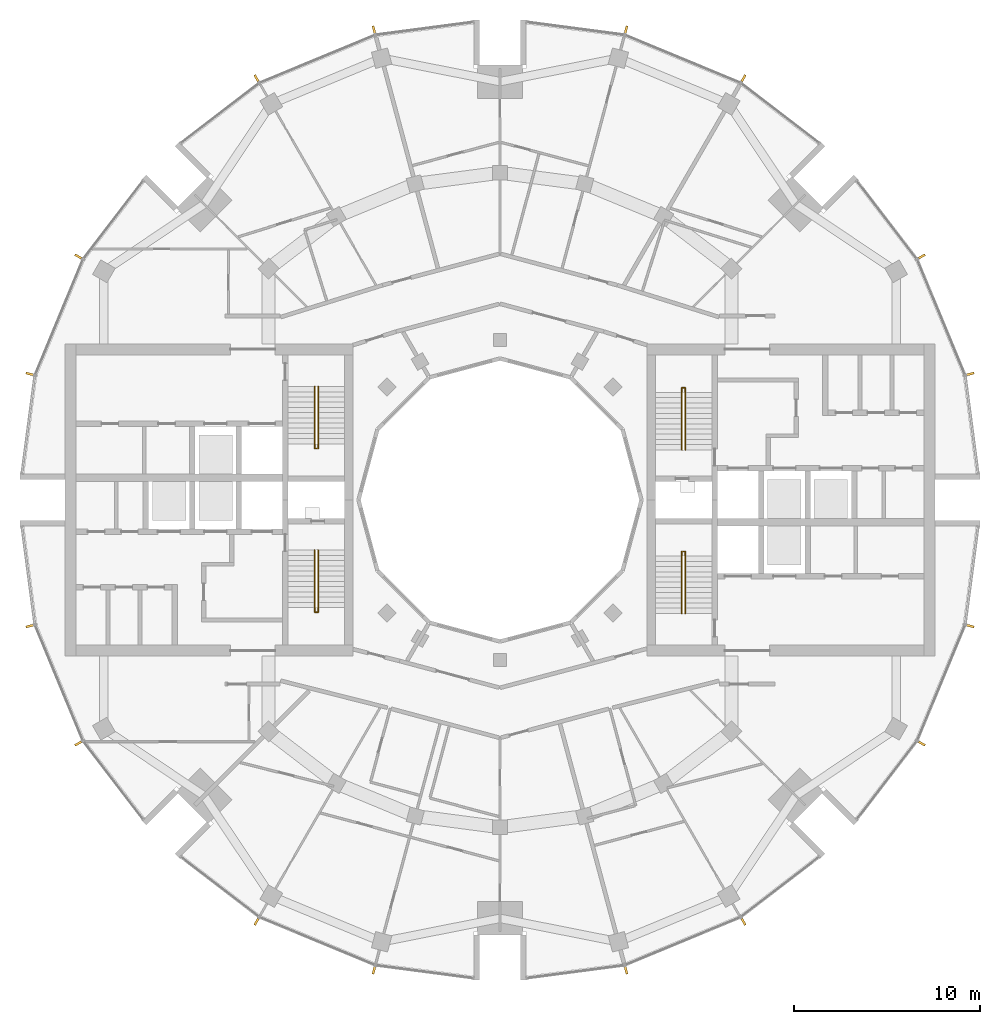
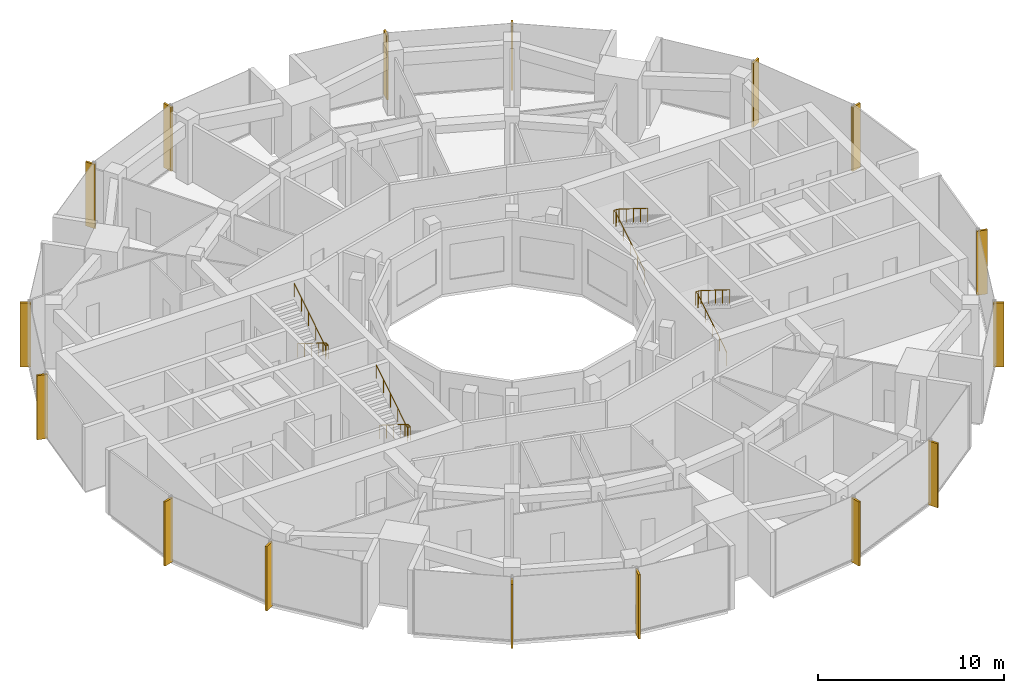
# One storey, part 14 of 15: 16 shading devices, 4 railings.
"""IFC4 building model written with IfcOpenShell, lengths in metres."""

from ifc_helpers import new_model, si_unit, direction, frame, origin, origin_2d, place, context, subcontext, project, spatial, rectangle, circle, extrude, material, material_profile, profile_set, type_object, element, save


model = new_model("IFC4")

# Units and contexts
model_context = context("Model", 3, precision=1e-05, world=origin(), true_north=direction((0.0, 1.0)))
body_context = subcontext(model_context, "Body", "Model", "MODEL_VIEW")
ifc_project = project(units=[si_unit("LENGTHUNIT", "METRE"), si_unit("AREAUNIT", "SQUARE_METRE"), si_unit("VOLUMEUNIT", "CUBIC_METRE"), si_unit("PLANEANGLEUNIT", "RADIAN"), si_unit("MASSUNIT", "GRAM", prefix="KILO")], contexts=[model_context])

# Site, building, storey
site_placement = place(None, origin())
site = spatial("IfcSite", under=ifc_project, at=site_placement, CompositionType="ELEMENT")
building_placement = place(site_placement, origin())
building = spatial("IfcBuilding", under=site, at=building_placement, Name="Torre Brocal", CompositionType="ELEMENT")
storey_placement = place(building_placement, frame((0.0, 0.0, 254.10009765625)))
storey = spatial("IfcBuildingStorey", under=building, at=storey_placement, Name="L58", CompositionType="ELEMENT", Elevation=254.10009765625)

# Shading devices
ifc_material_1 = material(Name="Aluminium, black anodised", Category="aluminium")
ifc_material_profile = material_profile(ifc_material_1, rectangle(XDim=0.1201171875, YDim=0.60009765625, at=origin_2d()), Name="FIN 120X600 4200 HIGH")
ifc_profile_set = profile_set([ifc_material_profile], Name="Aluminium, black anodised")
shading_device_type = type_object("IfcShadingDeviceType", Name="FIN 120X600 4200 HIGH", PredefinedType="USERDEFINED", material=ifc_profile_set)
for number, where, z_axis, x_axis, name in (
    (1, (105.208984375, 81.754638671875, -0.150146484375), (0.0, 0.0, 1.0), (-0.258819045103, 0.965925826289, 0.0), "FIN"),
    (2, (102.601806640625, 88.049072265625, -0.150146484375), (0.0, 0.0, 1.0), (-0.5, 0.866025403784, 0.0), "FIN"),
    (3, (93.049072265625, 97.601806640625, -0.150146484375), (0.0, 0.0, 1.0), (-0.866025403784, 0.5, 0.0), "FIN"),
    (4, (86.754638671875, 100.208984375, -0.150146484375), (0.0, 0.0, 1.0), (-0.965925826289, 0.258819045103, 0.0), "FIN"),
    (5, (73.245361328125, 100.208984375, -0.150146484375), (0.0, 0.0, 1.0), (-0.965925826289, -0.258819045103, 0.0), "FIN"),
    (6, (66.950927734375, 97.601806640625, -0.150146484375), (0.0, 0.0, 1.0), (-0.866025403784, -0.5, 0.0), "FIN"),
    (7, (57.398193359375, 88.049072265625, -0.150146484375), (0.0, 0.0, 1.0), (-0.5, -0.866025403784, 0.0), "FIN"),
    (8, (54.791015625, 81.754638671875, -0.150146484375), (0.0, 0.0, 1.0), (-0.258819045103, -0.965925826289, 0.0), "FIN"),
    (9, (54.791015625, 68.245361328125, -0.150146484375), (0.0, 0.0, 1.0), (0.258819045103, -0.965925826289, 0.0), "FIN"),
    (10, (57.398193359375, 61.950927734375, -0.150146484375), (0.0, 0.0, 1.0), (0.5, -0.866025403784, 0.0), "FIN"),
    (11, (66.950927734375, 52.398193359375, -0.150146484375), (0.0, 0.0, 1.0), (0.866025403784, -0.5, 0.0), "FIN"),
    (12, (73.245361328125, 49.791015625, -0.150146484375), (0.0, 0.0, 1.0), (0.965925826289, -0.258819045103, 0.0), "FIN"),
    (13, (86.754638671875, 49.791015625, -0.150146484375), (0.0, 0.0, 1.0), (0.965925826289, 0.258819045103, 0.0), "FIN"),
    (14, (93.049072265625, 52.398193359375, -0.150146484375), (0.0, 0.0, 1.0), (0.866025403784, 0.5, 0.0), "FIN"),
    (15, (102.601806640625, 61.950927734375, -0.150146484375), (0.0, 0.0, 1.0), (0.5, 0.866025403784, 0.0), "FIN"),
    (16, (105.208984375, 68.245361328125, -0.150146484375), (0.0, 0.0, 1.0), (0.258819045103, 0.965925826289, 0.0), "FIN"),
):
    element("IfcShadingDevice", number, at=place(storey_placement, frame(where, z_axis=z_axis, x_axis=x_axis)), inside=storey, type_object=shading_device_type, Name=name, ObjectType="FIN", PredefinedType="USERDEFINED", context=body_context, shape_type="SweptSolid", body=[
        extrude(rectangle(XDim=0.1201171875, YDim=0.60009765625, at=origin_2d()), origin(), (0.0, 0.0, 1.0), 4.199951171875),
    ])

# Railings
ifc_material_2 = material(Name="Stainless steel AISI 316", Category="steel")
railing_type = type_object("IfcRailingType", Name="STAIR HANDRAIL", PredefinedType="HANDRAIL", material=ifc_material_2)
railing_1_placement = place(storey_placement, frame((89.780029296875, 77.699951171875, 0.1748046875)))
element("IfcRailing", 17, at=railing_1_placement, inside=storey, type_object=railing_type, Name="HANDRAIL ST1", PredefinedType="HANDRAIL", context=body_context, shape_type="SweptSolid", body=[
    extrude(circle(Radius=0.02392578125, at=origin_2d()), frame((0.0, 0.0, 0.8759765625), z_axis=(0.0, 0.847998304005, 0.529998940003), x_axis=(-1.0, 0.0, 0.0)), (0.0, 0.0, 1.0), 3.632080078125),
    extrude(circle(Radius=0.02392578125, at=origin_2d()), frame((0.0, 3.080078125, 2.80078125), z_axis=(0.0, 1.0, 0.0), x_axis=(-1.0, 0.0, 0.0)), (0.0, 0.0, 1.0), 0.25),
    extrude(circle(Radius=0.02392578125, at=origin_2d()), frame((0.0, 3.330078125, 2.80078125), z_axis=(1.0, 0.0, 0.0), x_axis=(0.0, 1.0, 0.0)), (0.0, 0.0, 1.0), 0.18994140625),
    extrude(circle(Radius=0.02392578125, at=origin_2d()), frame((0.18994140625, 3.330078125, 2.80078125), z_axis=(0.0, -0.819156749665, 0.573569716318), x_axis=(1.0, 0.0, 0.0)), (0.0, 0.0, 1.0), 0.30517578125),
    extrude(circle(Radius=0.02392578125, at=origin_2d()), frame((0.18994140625, 3.080078125, 2.97607421875), z_axis=(0.0, -0.847998304005, 0.529998940003), x_axis=(1.0, 0.0, 0.0)), (0.0, 0.0, 1.0), 3.632080078125),
    extrude(circle(Radius=0.02099609375, at=origin_2d()), origin(), (0.0, 0.0, 1.0), 0.851806640625),
    extrude(circle(Radius=0.02099609375, at=origin_2d()), frame((0.0, 0.77001953125, 0.481201171875)), (0.0, 0.0, 1.0), 0.851806640625),
    extrude(circle(Radius=0.02099609375, at=origin_2d()), frame((0.0, 1.5400390625, 0.96240234375)), (0.0, 0.0, 1.0), 0.851806640625),
    extrude(circle(Radius=0.02099609375, at=origin_2d()), frame((0.0, 2.31005859375, 1.44384765625)), (0.0, 0.0, 1.0), 0.851806640625),
    extrude(circle(Radius=0.02099609375, at=origin_2d()), frame((0.0, 3.080078125, 1.925048828125)), (0.0, 0.0, 1.0), 0.851806640625),
    extrude(circle(Radius=0.02099609375, at=origin_2d()), frame((0.0, 3.330078125, 1.925048828125)), (0.0, 0.0, 1.0), 0.851806640625),
    extrude(circle(Radius=0.02099609375, at=origin_2d()), frame((0.18994140625, 3.330078125, 1.925048828125)), (0.0, 0.0, 1.0), 0.851806640625),
    extrude(circle(Radius=0.02099609375, at=origin_2d()), frame((0.18994140625, 3.080078125, 2.10009765625)), (0.0, 0.0, 1.0), 0.851806640625),
    extrude(circle(Radius=0.02099609375, at=origin_2d()), frame((0.18994140625, 2.31005859375, 2.581298828125)), (0.0, 0.0, 1.0), 0.851806640625),
    extrude(circle(Radius=0.02099609375, at=origin_2d()), frame((0.18994140625, 1.5400390625, 3.0625)), (0.0, 0.0, 1.0), 0.851806640625),
    extrude(circle(Radius=0.02099609375, at=origin_2d()), frame((0.18994140625, 0.77001953125, 3.5439453125)), (0.0, 0.0, 1.0), 0.851806640625),
    extrude(circle(Radius=0.02099609375, at=origin_2d()), frame((0.18994140625, 0.0, 4.025146484375)), (0.0, 0.0, 1.0), 0.851806640625),
])
railing_2_placement = place(storey_placement, frame((89.780029296875, 68.89990234375, 0.1748046875)))
element("IfcRailing", 18, at=railing_2_placement, inside=storey, type_object=railing_type, Name="HANDRAIL ST2", PredefinedType="HANDRAIL", context=body_context, shape_type="SweptSolid", body=[
    extrude(circle(Radius=0.02392578125, at=origin_2d()), frame((0.0, 0.0, 0.8759765625), z_axis=(0.0, 0.847998304005, 0.529998940003), x_axis=(-1.0, 0.0, 0.0)), (0.0, 0.0, 1.0), 3.632080078125),
    extrude(circle(Radius=0.02392578125, at=origin_2d()), frame((0.0, 3.080078125, 2.80078125), z_axis=(0.0, 1.0, 0.0), x_axis=(-1.0, 0.0, 0.0)), (0.0, 0.0, 1.0), 0.25),
    extrude(circle(Radius=0.02392578125, at=origin_2d()), frame((0.0, 3.330078125, 2.80078125), z_axis=(1.0, 0.0, 0.0), x_axis=(0.0, 1.0, 0.0)), (0.0, 0.0, 1.0), 0.18994140625),
    extrude(circle(Radius=0.02392578125, at=origin_2d()), frame((0.18994140625, 3.330078125, 2.80078125), z_axis=(0.0, -0.819156749665, 0.573569716318), x_axis=(1.0, 0.0, 0.0)), (0.0, 0.0, 1.0), 0.30517578125),
    extrude(circle(Radius=0.02392578125, at=origin_2d()), frame((0.18994140625, 3.080078125, 2.97607421875), z_axis=(0.0, -0.847998304005, 0.529998940003), x_axis=(1.0, 0.0, 0.0)), (0.0, 0.0, 1.0), 3.632080078125),
    extrude(circle(Radius=0.02099609375, at=origin_2d()), origin(), (0.0, 0.0, 1.0), 0.851806640625),
    extrude(circle(Radius=0.02099609375, at=origin_2d()), frame((0.0, 0.77001953125, 0.481201171875)), (0.0, 0.0, 1.0), 0.851806640625),
    extrude(circle(Radius=0.02099609375, at=origin_2d()), frame((0.0, 1.5400390625, 0.96240234375)), (0.0, 0.0, 1.0), 0.851806640625),
    extrude(circle(Radius=0.02099609375, at=origin_2d()), frame((0.0, 2.31005859375, 1.44384765625)), (0.0, 0.0, 1.0), 0.851806640625),
    extrude(circle(Radius=0.02099609375, at=origin_2d()), frame((0.0, 3.080078125, 1.925048828125)), (0.0, 0.0, 1.0), 0.851806640625),
    extrude(circle(Radius=0.02099609375, at=origin_2d()), frame((0.0, 3.330078125, 1.925048828125)), (0.0, 0.0, 1.0), 0.851806640625),
    extrude(circle(Radius=0.02099609375, at=origin_2d()), frame((0.18994140625, 3.330078125, 1.925048828125)), (0.0, 0.0, 1.0), 0.851806640625),
    extrude(circle(Radius=0.02099609375, at=origin_2d()), frame((0.18994140625, 3.080078125, 2.10009765625)), (0.0, 0.0, 1.0), 0.851806640625),
    extrude(circle(Radius=0.02099609375, at=origin_2d()), frame((0.18994140625, 2.31005859375, 2.581298828125)), (0.0, 0.0, 1.0), 0.851806640625),
    extrude(circle(Radius=0.02099609375, at=origin_2d()), frame((0.18994140625, 1.5400390625, 3.0625)), (0.0, 0.0, 1.0), 0.851806640625),
    extrude(circle(Radius=0.02099609375, at=origin_2d()), frame((0.18994140625, 0.77001953125, 3.5439453125)), (0.0, 0.0, 1.0), 0.851806640625),
    extrude(circle(Radius=0.02099609375, at=origin_2d()), frame((0.18994140625, 0.0, 4.025146484375)), (0.0, 0.0, 1.0), 0.851806640625),
])
railing_3_placement = place(storey_placement, frame((70.219970703125, 72.300048828125, 0.1748046875)))
element("IfcRailing", 19, at=railing_3_placement, inside=storey, type_object=railing_type, Name="HANDRAIL ST3", PredefinedType="HANDRAIL", context=body_context, shape_type="SweptSolid", body=[
    extrude(circle(Radius=0.02392578125, at=origin_2d()), frame((0.0, 0.0, 0.8759765625), z_axis=(0.0, -0.847998304005, 0.529998940003), x_axis=(1.0, 0.0, 0.0)), (0.0, 0.0, 1.0), 3.632080078125),
    extrude(circle(Radius=0.02392578125, at=origin_2d()), frame((0.0, -3.080078125, 2.80078125), z_axis=(0.0, -1.0, 0.0), x_axis=(1.0, 0.0, 0.0)), (0.0, 0.0, 1.0), 0.25),
    extrude(circle(Radius=0.02392578125, at=origin_2d()), frame((0.0, -3.330078125, 2.80078125), z_axis=(-1.0, 0.0, 0.0), x_axis=(0.0, -1.0, 0.0)), (0.0, 0.0, 1.0), 0.18994140625),
    extrude(circle(Radius=0.02392578125, at=origin_2d()), frame((-0.18994140625, -3.330078125, 2.80078125), z_axis=(0.0, 0.819156749665, 0.573569716318), x_axis=(-1.0, 0.0, 0.0)), (0.0, 0.0, 1.0), 0.30517578125),
    extrude(circle(Radius=0.02392578125, at=origin_2d()), frame((-0.18994140625, -3.080078125, 2.97607421875), z_axis=(0.0, 0.847998304005, 0.529998940003), x_axis=(-1.0, 0.0, 0.0)), (0.0, 0.0, 1.0), 3.632080078125),
    extrude(circle(Radius=0.02099609375, at=origin_2d()), origin(), (0.0, 0.0, 1.0), 0.851806640625),
    extrude(circle(Radius=0.02099609375, at=origin_2d()), frame((0.0, -0.77001953125, 0.481201171875)), (0.0, 0.0, 1.0), 0.851806640625),
    extrude(circle(Radius=0.02099609375, at=origin_2d()), frame((0.0, -1.5400390625, 0.96240234375)), (0.0, 0.0, 1.0), 0.851806640625),
    extrude(circle(Radius=0.02099609375, at=origin_2d()), frame((0.0, -2.31005859375, 1.44384765625)), (0.0, 0.0, 1.0), 0.851806640625),
    extrude(circle(Radius=0.02099609375, at=origin_2d()), frame((0.0, -3.080078125, 1.925048828125)), (0.0, 0.0, 1.0), 0.851806640625),
    extrude(circle(Radius=0.02099609375, at=origin_2d()), frame((0.0, -3.330078125, 1.925048828125)), (0.0, 0.0, 1.0), 0.851806640625),
    extrude(circle(Radius=0.02099609375, at=origin_2d()), frame((-0.18994140625, -3.330078125, 1.925048828125)), (0.0, 0.0, 1.0), 0.851806640625),
    extrude(circle(Radius=0.02099609375, at=origin_2d()), frame((-0.18994140625, -3.080078125, 2.10009765625)), (0.0, 0.0, 1.0), 0.851806640625),
    extrude(circle(Radius=0.02099609375, at=origin_2d()), frame((-0.18994140625, -2.31005859375, 2.581298828125)), (0.0, 0.0, 1.0), 0.851806640625),
    extrude(circle(Radius=0.02099609375, at=origin_2d()), frame((-0.18994140625, -1.5400390625, 3.0625)), (0.0, 0.0, 1.0), 0.851806640625),
    extrude(circle(Radius=0.02099609375, at=origin_2d()), frame((-0.18994140625, -0.77001953125, 3.5439453125)), (0.0, 0.0, 1.0), 0.851806640625),
    extrude(circle(Radius=0.02099609375, at=origin_2d()), frame((-0.18994140625, 0.0, 4.025146484375)), (0.0, 0.0, 1.0), 0.851806640625),
])
railing_4_placement = place(storey_placement, frame((70.219970703125, 81.10009765625, 0.1748046875)))
element("IfcRailing", 20, at=railing_4_placement, inside=storey, type_object=railing_type, Name="HANDRAIL ST4", PredefinedType="HANDRAIL", context=body_context, shape_type="SweptSolid", body=[
    extrude(circle(Radius=0.02392578125, at=origin_2d()), frame((0.0, 0.0, 0.8759765625), z_axis=(0.0, -0.847998304005, 0.529998940003), x_axis=(1.0, 0.0, 0.0)), (0.0, 0.0, 1.0), 3.632080078125),
    extrude(circle(Radius=0.02392578125, at=origin_2d()), frame((0.0, -3.080078125, 2.80078125), z_axis=(0.0, -1.0, 0.0), x_axis=(1.0, 0.0, 0.0)), (0.0, 0.0, 1.0), 0.25),
    extrude(circle(Radius=0.02392578125, at=origin_2d()), frame((0.0, -3.330078125, 2.80078125), z_axis=(-1.0, 0.0, 0.0), x_axis=(0.0, -1.0, 0.0)), (0.0, 0.0, 1.0), 0.18994140625),
    extrude(circle(Radius=0.02392578125, at=origin_2d()), frame((-0.18994140625, -3.330078125, 2.80078125), z_axis=(0.0, 0.819156749665, 0.573569716318), x_axis=(-1.0, 0.0, 0.0)), (0.0, 0.0, 1.0), 0.30517578125),
    extrude(circle(Radius=0.02392578125, at=origin_2d()), frame((-0.18994140625, -3.080078125, 2.97607421875), z_axis=(0.0, 0.847998304005, 0.529998940003), x_axis=(-1.0, 0.0, 0.0)), (0.0, 0.0, 1.0), 3.632080078125),
    extrude(circle(Radius=0.02099609375, at=origin_2d()), origin(), (0.0, 0.0, 1.0), 0.851806640625),
    extrude(circle(Radius=0.02099609375, at=origin_2d()), frame((0.0, -0.77001953125, 0.481201171875)), (0.0, 0.0, 1.0), 0.851806640625),
    extrude(circle(Radius=0.02099609375, at=origin_2d()), frame((0.0, -1.5400390625, 0.96240234375)), (0.0, 0.0, 1.0), 0.851806640625),
    extrude(circle(Radius=0.02099609375, at=origin_2d()), frame((0.0, -2.31005859375, 1.44384765625)), (0.0, 0.0, 1.0), 0.851806640625),
    extrude(circle(Radius=0.02099609375, at=origin_2d()), frame((0.0, -3.080078125, 1.925048828125)), (0.0, 0.0, 1.0), 0.851806640625),
    extrude(circle(Radius=0.02099609375, at=origin_2d()), frame((0.0, -3.330078125, 1.925048828125)), (0.0, 0.0, 1.0), 0.851806640625),
    extrude(circle(Radius=0.02099609375, at=origin_2d()), frame((-0.18994140625, -3.330078125, 1.925048828125)), (0.0, 0.0, 1.0), 0.851806640625),
    extrude(circle(Radius=0.02099609375, at=origin_2d()), frame((-0.18994140625, -3.080078125, 2.10009765625)), (0.0, 0.0, 1.0), 0.851806640625),
    extrude(circle(Radius=0.02099609375, at=origin_2d()), frame((-0.18994140625, -2.31005859375, 2.581298828125)), (0.0, 0.0, 1.0), 0.851806640625),
    extrude(circle(Radius=0.02099609375, at=origin_2d()), frame((-0.18994140625, -1.5400390625, 3.0625)), (0.0, 0.0, 1.0), 0.851806640625),
    extrude(circle(Radius=0.02099609375, at=origin_2d()), frame((-0.18994140625, -0.77001953125, 3.5439453125)), (0.0, 0.0, 1.0), 0.851806640625),
    extrude(circle(Radius=0.02099609375, at=origin_2d()), frame((-0.18994140625, 0.0, 4.025146484375)), (0.0, 0.0, 1.0), 0.851806640625),
])

save(model, "model.ifc")
